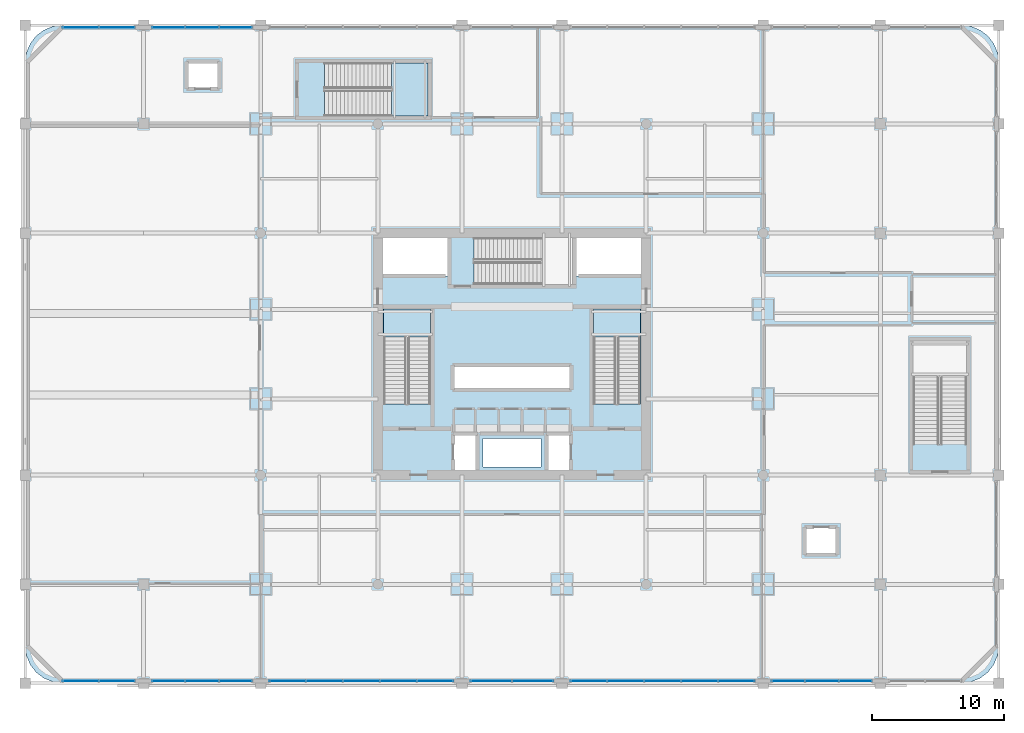
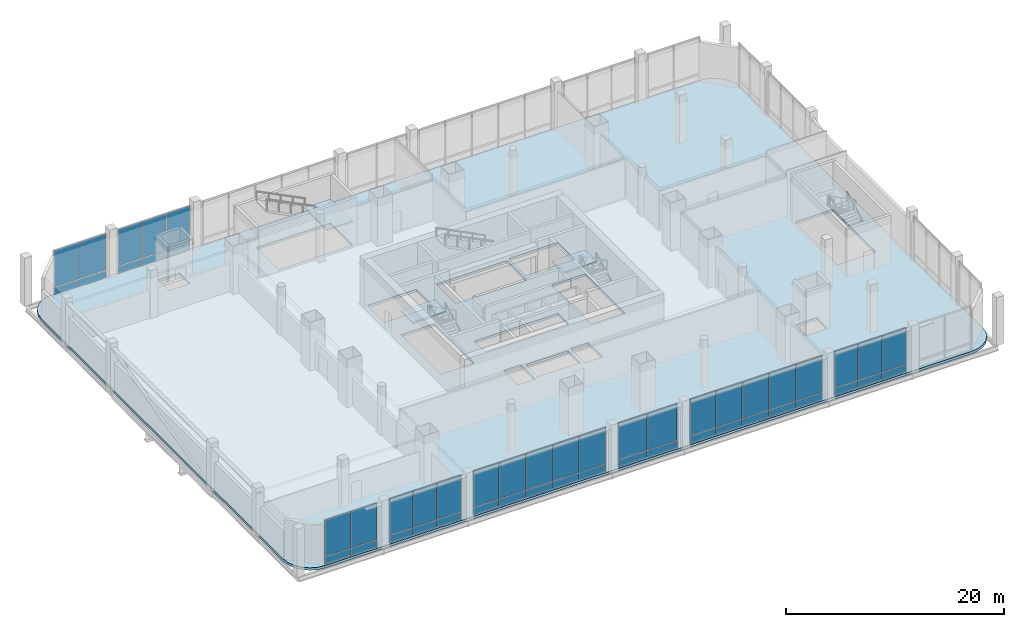
# One storey, part 19 of 35: 50 plates, 4 slabs, 11 elements without a shape of their own.
"""IFC4 building model written with IfcOpenShell, lengths in metres."""

from ifc_helpers import new_model, si_unit, direction, frame, origin, origin_2d, place, context, subcontext, project, spatial, polyline, rectangle, outline, extrude, material, layer, layer_set, type_object, element, aggregate, save


model = new_model("IFC4")

# Units and contexts
model_context = context("Model", 3, precision=1e-05, world=origin(), true_north=direction((0.0, 1.0)))
body_context = subcontext(model_context, "Body", "Model", "MODEL_VIEW")
ifc_project = project(units=[si_unit("LENGTHUNIT", "METRE"), si_unit("AREAUNIT", "SQUARE_METRE"), si_unit("VOLUMEUNIT", "CUBIC_METRE"), si_unit("PLANEANGLEUNIT", "RADIAN"), si_unit("MASSUNIT", "GRAM", prefix="KILO")], contexts=[model_context])

# Site, building, storey
site_placement = place(None, origin())
site = spatial("IfcSite", under=ifc_project, at=site_placement, CompositionType="ELEMENT")
building_placement = place(site_placement, origin())
building = spatial("IfcBuilding", under=site, at=building_placement, Name="Punatoya Terracotta Tower", CompositionType="ELEMENT")
storey_placement = place(building_placement, frame((0.0, 0.0, 16.800048828125)))
storey = spatial("IfcBuildingStorey", under=building, at=storey_placement, Name="L03", CompositionType="ELEMENT", Elevation=16.800048828125)

# Curtain wall, plates
ifc_material_1 = material(Name="Aluminium 6063-T6 + Double Low-E Glass", Category="aluminium")
curtain_wall_type = type_object("IfcCurtainWallType", Name="CW-POD", PredefinedType="NOTDEFINED", material=ifc_material_1)
curtain_wall_1_placement = place(storey_placement, origin())
curtain_wall_1 = element("IfcCurtainWall", 1, at=curtain_wall_1_placement, inside=storey, type_object=curtain_wall_type, Name="L03 Curtain Wall CWP-L03-S1", PredefinedType="NOTDEFINED")
ifc_material_2 = material(Name="Double Low-E Clear Vision Glass", Category="glass")
ifc_layer_1 = layer(ifc_material_2, 0.028076171875)
ifc_layer_set_1 = layer_set([ifc_layer_1], Name="Double Low-E Clear Vision Glass")
plate_type_1 = type_object("IfcPlateType", Name="PLT-GLZ-28", PredefinedType="CURTAIN_PANEL", material=ifc_layer_set_1)
plate_1_placement = place(storey_placement, frame((-32.804931640625, -24.840087890625, 0.89013671875), z_axis=(0.0, 0.0, 1.0), x_axis=(1.0, 0.0, 0.0)))
plate_1 = element("IfcPlate", 2, at=plate_1_placement, type_object=plate_type_1, Name="CWP-L03-S1 Vision Glass Panel 1", PredefinedType="CURTAIN_PANEL", context=body_context, shape_type="SweptSolid", body=[
    extrude(rectangle(XDim=2.705078125, YDim=0.028076171875, at=origin_2d()), origin(), (0.0, 0.0, 1.0), 4.090087890625),
])
plate_2_placement = place(storey_placement, frame((-30.014892578125, -24.840087890625, 0.89013671875), z_axis=(0.0, 0.0, 1.0), x_axis=(1.0, 0.0, 0.0)))
plate_2 = element("IfcPlate", 3, at=plate_2_placement, type_object=plate_type_1, Name="CWP-L03-S1 Vision Glass Panel 2", PredefinedType="CURTAIN_PANEL", context=body_context, shape_type="SweptSolid", body=[
    extrude(rectangle(XDim=2.705078125, YDim=0.028076171875, at=origin_2d()), origin(), (0.0, 0.0, 1.0), 4.090087890625),
])

curtain_wall_2_placement = place(storey_placement, origin())
curtain_wall_2 = element("IfcCurtainWall", 4, at=curtain_wall_2_placement, inside=storey, type_object=curtain_wall_type, Name="L03 Curtain Wall CWP-L03-N1", PredefinedType="NOTDEFINED")
plate_3_placement = place(storey_placement, frame((-30.014892578125, 24.840087890625, 0.89013671875), z_axis=(0.0, 0.0, 1.0), x_axis=(-1.0, 0.0, 0.0)))
plate_3 = element("IfcPlate", 5, at=plate_3_placement, type_object=plate_type_1, Name="CWP-L03-N1 Vision Glass Panel 1", PredefinedType="CURTAIN_PANEL", context=body_context, shape_type="SweptSolid", body=[
    extrude(rectangle(XDim=2.705078125, YDim=0.028076171875, at=origin_2d()), origin(), (0.0, 0.0, 1.0), 4.090087890625),
])
plate_4_placement = place(storey_placement, frame((-32.804931640625, 24.840087890625, 0.89013671875), z_axis=(0.0, 0.0, 1.0), x_axis=(-1.0, 0.0, 0.0)))
plate_4 = element("IfcPlate", 6, at=plate_4_placement, type_object=plate_type_1, Name="CWP-L03-N1 Vision Glass Panel 2", PredefinedType="CURTAIN_PANEL", context=body_context, shape_type="SweptSolid", body=[
    extrude(rectangle(XDim=2.705078125, YDim=0.028076171875, at=origin_2d()), origin(), (0.0, 0.0, 1.0), 4.090087890625),
])

curtain_wall_3_placement = place(storey_placement, origin())
curtain_wall_3 = element("IfcCurtainWall", 7, at=curtain_wall_3_placement, inside=storey, type_object=curtain_wall_type, Name="L03 Curtain Wall CWP-L03-S2", PredefinedType="NOTDEFINED")
plate_5_placement = place(storey_placement, frame((-26.103271484375, -24.840087890625, 0.89013671875), z_axis=(0.0, 0.0, 1.0), x_axis=(1.0, 0.0, 0.0)))
plate_5 = element("IfcPlate", 8, at=plate_5_placement, type_object=plate_type_1, Name="CWP-L03-S2 Vision Glass Panel 1", PredefinedType="CURTAIN_PANEL", context=body_context, shape_type="SweptSolid", body=[
    extrude(rectangle(XDim=2.46826171875, YDim=0.028076171875, at=origin_2d()), origin(), (0.0, 0.0, 1.0), 4.090087890625),
])
plate_6_placement = place(storey_placement, frame((-23.550048828125, -24.840087890625, 0.89013671875), z_axis=(0.0, 0.0, 1.0), x_axis=(1.0, 0.0, 0.0)))
plate_6 = element("IfcPlate", 9, at=plate_6_placement, type_object=plate_type_1, Name="CWP-L03-S2 Vision Glass Panel 2", PredefinedType="CURTAIN_PANEL", context=body_context, shape_type="SweptSolid", body=[
    extrude(rectangle(XDim=2.46826171875, YDim=0.028076171875, at=origin_2d()), origin(), (0.0, 0.0, 1.0), 4.090087890625),
])
plate_7_placement = place(storey_placement, frame((-20.99658203125, -24.840087890625, 0.89013671875), z_axis=(0.0, 0.0, 1.0), x_axis=(1.0, 0.0, 0.0)))
plate_7 = element("IfcPlate", 10, at=plate_7_placement, type_object=plate_type_1, Name="CWP-L03-S2 Vision Glass Panel 3", PredefinedType="CURTAIN_PANEL", context=body_context, shape_type="SweptSolid", body=[
    extrude(rectangle(XDim=2.46826171875, YDim=0.028076171875, at=origin_2d()), origin(), (0.0, 0.0, 1.0), 4.090087890625),
])

curtain_wall_4_placement = place(storey_placement, origin())
curtain_wall_4 = element("IfcCurtainWall", 11, at=curtain_wall_4_placement, inside=storey, type_object=curtain_wall_type, Name="L03 Curtain Wall CWP-L03-N2", PredefinedType="NOTDEFINED")
plate_8_placement = place(storey_placement, frame((-20.99658203125, 24.840087890625, 0.89013671875), z_axis=(0.0, 0.0, 1.0), x_axis=(-1.0, 0.0, 0.0)))
plate_8 = element("IfcPlate", 12, at=plate_8_placement, type_object=plate_type_1, Name="CWP-L03-N2 Vision Glass Panel 1", PredefinedType="CURTAIN_PANEL", context=body_context, shape_type="SweptSolid", body=[
    extrude(rectangle(XDim=2.46826171875, YDim=0.028076171875, at=origin_2d()), origin(), (0.0, 0.0, 1.0), 4.090087890625),
])
plate_9_placement = place(storey_placement, frame((-23.550048828125, 24.840087890625, 0.89013671875), z_axis=(0.0, 0.0, 1.0), x_axis=(-1.0, 0.0, 0.0)))
plate_9 = element("IfcPlate", 13, at=plate_9_placement, type_object=plate_type_1, Name="CWP-L03-N2 Vision Glass Panel 2", PredefinedType="CURTAIN_PANEL", context=body_context, shape_type="SweptSolid", body=[
    extrude(rectangle(XDim=2.46826171875, YDim=0.028076171875, at=origin_2d()), origin(), (0.0, 0.0, 1.0), 4.090087890625),
])
plate_10_placement = place(storey_placement, frame((-26.103271484375, 24.840087890625, 0.89013671875), z_axis=(0.0, 0.0, 1.0), x_axis=(-1.0, 0.0, 0.0)))
plate_10 = element("IfcPlate", 14, at=plate_10_placement, type_object=plate_type_1, Name="CWP-L03-N2 Vision Glass Panel 3", PredefinedType="CURTAIN_PANEL", context=body_context, shape_type="SweptSolid", body=[
    extrude(rectangle(XDim=2.46826171875, YDim=0.028076171875, at=origin_2d()), origin(), (0.0, 0.0, 1.0), 4.090087890625),
])

curtain_wall_5_placement = place(storey_placement, origin())
curtain_wall_5 = element("IfcCurtainWall", 15, at=curtain_wall_5_placement, inside=storey, type_object=curtain_wall_type, Name="L03 Curtain Wall CWP-L03-S3", PredefinedType="NOTDEFINED")
plate_11_placement = place(storey_placement, frame((-17.073974609375, -24.840087890625, 0.89013671875), z_axis=(0.0, 0.0, 1.0), x_axis=(1.0, 0.0, 0.0)))
plate_11 = element("IfcPlate", 16, at=plate_11_placement, type_object=plate_type_1, Name="CWP-L03-S3 Vision Glass Panel 1", PredefinedType="CURTAIN_PANEL", context=body_context, shape_type="SweptSolid", body=[
    extrude(rectangle(XDim=2.72705078125, YDim=0.028076171875, at=origin_2d()), origin(), (0.0, 0.0, 1.0), 4.090087890625),
])
plate_12_placement = place(storey_placement, frame((-14.261962890625, -24.840087890625, 0.89013671875), z_axis=(0.0, 0.0, 1.0), x_axis=(1.0, 0.0, 0.0)))
plate_12 = element("IfcPlate", 17, at=plate_12_placement, type_object=plate_type_1, Name="CWP-L03-S3 Vision Glass Panel 2", PredefinedType="CURTAIN_PANEL", context=body_context, shape_type="SweptSolid", body=[
    extrude(rectangle(XDim=2.72705078125, YDim=0.028076171875, at=origin_2d()), origin(), (0.0, 0.0, 1.0), 4.090087890625),
])
plate_13_placement = place(storey_placement, frame((-11.449951171875, -24.840087890625, 0.89013671875), z_axis=(0.0, 0.0, 1.0), x_axis=(1.0, 0.0, 0.0)))
plate_13 = element("IfcPlate", 18, at=plate_13_placement, type_object=plate_type_1, Name="CWP-L03-S3 Vision Glass Panel 3", PredefinedType="CURTAIN_PANEL", context=body_context, shape_type="SweptSolid", body=[
    extrude(rectangle(XDim=2.72705078125, YDim=0.028076171875, at=origin_2d()), origin(), (0.0, 0.0, 1.0), 4.090087890625),
])
plate_14_placement = place(storey_placement, frame((-8.637939453125, -24.840087890625, 0.89013671875), z_axis=(0.0, 0.0, 1.0), x_axis=(1.0, 0.0, 0.0)))
plate_14 = element("IfcPlate", 19, at=plate_14_placement, type_object=plate_type_1, Name="CWP-L03-S3 Vision Glass Panel 4", PredefinedType="CURTAIN_PANEL", context=body_context, shape_type="SweptSolid", body=[
    extrude(rectangle(XDim=2.72705078125, YDim=0.028076171875, at=origin_2d()), origin(), (0.0, 0.0, 1.0), 4.090087890625),
])
plate_15_placement = place(storey_placement, frame((-5.825927734375, -24.840087890625, 0.89013671875), z_axis=(0.0, 0.0, 1.0), x_axis=(1.0, 0.0, 0.0)))
plate_15 = element("IfcPlate", 20, at=plate_15_placement, type_object=plate_type_1, Name="CWP-L03-S3 Vision Glass Panel 5", PredefinedType="CURTAIN_PANEL", context=body_context, shape_type="SweptSolid", body=[
    extrude(rectangle(XDim=2.72705078125, YDim=0.028076171875, at=origin_2d()), origin(), (0.0, 0.0, 1.0), 4.090087890625),
])

curtain_wall_6_placement = place(storey_placement, origin())
curtain_wall_6 = element("IfcCurtainWall", 21, at=curtain_wall_6_placement, inside=storey, type_object=curtain_wall_type, Name="L03 Curtain Wall CWP-L03-S4", PredefinedType="NOTDEFINED")
plate_16_placement = place(storey_placement, frame((-1.590087890625, -24.840087890625, 0.89013671875), z_axis=(0.0, 0.0, 1.0), x_axis=(1.0, 0.0, 0.0)))
plate_16 = element("IfcPlate", 22, at=plate_16_placement, type_object=plate_type_1, Name="CWP-L03-S4 Vision Glass Panel 1", PredefinedType="CURTAIN_PANEL", context=body_context, shape_type="SweptSolid", body=[
    extrude(rectangle(XDim=3.094970703125, YDim=0.028076171875, at=origin_2d()), origin(), (0.0, 0.0, 1.0), 4.090087890625),
])
plate_17_placement = place(storey_placement, frame((1.590087890625, -24.840087890625, 0.89013671875), z_axis=(0.0, 0.0, 1.0), x_axis=(1.0, 0.0, 0.0)))
plate_17 = element("IfcPlate", 23, at=plate_17_placement, type_object=plate_type_1, Name="CWP-L03-S4 Vision Glass Panel 2", PredefinedType="CURTAIN_PANEL", context=body_context, shape_type="SweptSolid", body=[
    extrude(rectangle(XDim=3.094970703125, YDim=0.028076171875, at=origin_2d()), origin(), (0.0, 0.0, 1.0), 4.090087890625),
])

curtain_wall_7_placement = place(storey_placement, origin())
curtain_wall_7 = element("IfcCurtainWall", 24, at=curtain_wall_7_placement, inside=storey, type_object=curtain_wall_type, Name="L03 Curtain Wall CWP-L03-S5", PredefinedType="NOTDEFINED")
plate_18_placement = place(storey_placement, frame((5.825927734375, -24.840087890625, 0.89013671875), z_axis=(0.0, 0.0, 1.0), x_axis=(1.0, 0.0, 0.0)))
plate_18 = element("IfcPlate", 25, at=plate_18_placement, type_object=plate_type_1, Name="CWP-L03-S5 Vision Glass Panel 1", PredefinedType="CURTAIN_PANEL", context=body_context, shape_type="SweptSolid", body=[
    extrude(rectangle(XDim=2.72705078125, YDim=0.028076171875, at=origin_2d()), origin(), (0.0, 0.0, 1.0), 4.090087890625),
])
plate_19_placement = place(storey_placement, frame((8.637939453125, -24.840087890625, 0.89013671875), z_axis=(0.0, 0.0, 1.0), x_axis=(1.0, 0.0, 0.0)))
plate_19 = element("IfcPlate", 26, at=plate_19_placement, type_object=plate_type_1, Name="CWP-L03-S5 Vision Glass Panel 2", PredefinedType="CURTAIN_PANEL", context=body_context, shape_type="SweptSolid", body=[
    extrude(rectangle(XDim=2.72705078125, YDim=0.028076171875, at=origin_2d()), origin(), (0.0, 0.0, 1.0), 4.090087890625),
])
plate_20_placement = place(storey_placement, frame((11.449951171875, -24.840087890625, 0.89013671875), z_axis=(0.0, 0.0, 1.0), x_axis=(1.0, 0.0, 0.0)))
plate_20 = element("IfcPlate", 27, at=plate_20_placement, type_object=plate_type_1, Name="CWP-L03-S5 Vision Glass Panel 3", PredefinedType="CURTAIN_PANEL", context=body_context, shape_type="SweptSolid", body=[
    extrude(rectangle(XDim=2.72705078125, YDim=0.028076171875, at=origin_2d()), origin(), (0.0, 0.0, 1.0), 4.090087890625),
])
plate_21_placement = place(storey_placement, frame((14.261962890625, -24.840087890625, 0.89013671875), z_axis=(0.0, 0.0, 1.0), x_axis=(1.0, 0.0, 0.0)))
plate_21 = element("IfcPlate", 28, at=plate_21_placement, type_object=plate_type_1, Name="CWP-L03-S5 Vision Glass Panel 4", PredefinedType="CURTAIN_PANEL", context=body_context, shape_type="SweptSolid", body=[
    extrude(rectangle(XDim=2.72705078125, YDim=0.028076171875, at=origin_2d()), origin(), (0.0, 0.0, 1.0), 4.090087890625),
])
plate_22_placement = place(storey_placement, frame((17.073974609375, -24.840087890625, 0.89013671875), z_axis=(0.0, 0.0, 1.0), x_axis=(1.0, 0.0, 0.0)))
plate_22 = element("IfcPlate", 29, at=plate_22_placement, type_object=plate_type_1, Name="CWP-L03-S5 Vision Glass Panel 5", PredefinedType="CURTAIN_PANEL", context=body_context, shape_type="SweptSolid", body=[
    extrude(rectangle(XDim=2.72705078125, YDim=0.028076171875, at=origin_2d()), origin(), (0.0, 0.0, 1.0), 4.090087890625),
])

curtain_wall_8_placement = place(storey_placement, origin())
curtain_wall_8 = element("IfcCurtainWall", 30, at=curtain_wall_8_placement, inside=storey, type_object=curtain_wall_type, Name="L03 Curtain Wall CWP-L03-S6", PredefinedType="NOTDEFINED")
plate_23_placement = place(storey_placement, frame((20.99658203125, -24.840087890625, 0.89013671875), z_axis=(0.0, 0.0, 1.0), x_axis=(1.0, 0.0, 0.0)))
plate_23 = element("IfcPlate", 31, at=plate_23_placement, type_object=plate_type_1, Name="CWP-L03-S6 Vision Glass Panel 1", PredefinedType="CURTAIN_PANEL", context=body_context, shape_type="SweptSolid", body=[
    extrude(rectangle(XDim=2.46826171875, YDim=0.028076171875, at=origin_2d()), origin(), (0.0, 0.0, 1.0), 4.090087890625),
])
plate_24_placement = place(storey_placement, frame((23.550048828125, -24.840087890625, 0.89013671875), z_axis=(0.0, 0.0, 1.0), x_axis=(1.0, 0.0, 0.0)))
plate_24 = element("IfcPlate", 32, at=plate_24_placement, type_object=plate_type_1, Name="CWP-L03-S6 Vision Glass Panel 2", PredefinedType="CURTAIN_PANEL", context=body_context, shape_type="SweptSolid", body=[
    extrude(rectangle(XDim=2.46826171875, YDim=0.028076171875, at=origin_2d()), origin(), (0.0, 0.0, 1.0), 4.090087890625),
])
plate_25_placement = place(storey_placement, frame((26.103271484375, -24.840087890625, 0.89013671875), z_axis=(0.0, 0.0, 1.0), x_axis=(1.0, 0.0, 0.0)))
plate_25 = element("IfcPlate", 33, at=plate_25_placement, type_object=plate_type_1, Name="CWP-L03-S6 Vision Glass Panel 3", PredefinedType="CURTAIN_PANEL", context=body_context, shape_type="SweptSolid", body=[
    extrude(rectangle(XDim=2.46826171875, YDim=0.028076171875, at=origin_2d()), origin(), (0.0, 0.0, 1.0), 4.090087890625),
])

# Plate
ifc_material_3 = material(Name="Insulated Terracotta-Backed Spandrel Panel", Category="masonry")
ifc_layer_2 = layer(ifc_material_3, 0.044921875)
ifc_layer_set_2 = layer_set([ifc_layer_2], Name="Insulated Terracotta-Backed Spandrel Panel")
plate_type_2 = type_object("IfcPlateType", Name="PLT-SPN-45", PredefinedType="CURTAIN_PANEL", material=ifc_layer_set_2)
plate_26_placement = place(storey_placement, frame((-32.804931640625, -24.840087890625, 0.0400390625), z_axis=(0.0, 0.0, 1.0), x_axis=(1.0, 0.0, 0.0)))
plate_26 = element("IfcPlate", 34, at=plate_26_placement, type_object=plate_type_2, Name="CWP-L03-S1 Terracotta Spandrel Panel 1", PredefinedType="CURTAIN_PANEL", context=body_context, shape_type="SweptSolid", body=[
    extrude(rectangle(XDim=2.705078125, YDim=0.044921875, at=origin_2d()), origin(), (0.0, 0.0, 1.0), 0.77490234375),
])

plate_27_placement = place(storey_placement, frame((-30.014892578125, -24.840087890625, 0.0400390625), z_axis=(0.0, 0.0, 1.0), x_axis=(1.0, 0.0, 0.0)))
plate_27 = element("IfcPlate", 35, at=plate_27_placement, type_object=plate_type_2, Name="CWP-L03-S1 Terracotta Spandrel Panel 2", PredefinedType="CURTAIN_PANEL", context=body_context, shape_type="SweptSolid", body=[
    extrude(rectangle(XDim=2.705078125, YDim=0.044921875, at=origin_2d()), origin(), (0.0, 0.0, 1.0), 0.77490234375),
])

aggregate(curtain_wall_1, [plate_26, plate_1, plate_27, plate_2])

plate_28_placement = place(storey_placement, frame((-30.014892578125, 24.840087890625, 0.0400390625), z_axis=(0.0, 0.0, 1.0), x_axis=(-1.0, 0.0, 0.0)))
plate_28 = element("IfcPlate", 36, at=plate_28_placement, type_object=plate_type_2, Name="CWP-L03-N1 Terracotta Spandrel Panel 1", PredefinedType="CURTAIN_PANEL", context=body_context, shape_type="SweptSolid", body=[
    extrude(rectangle(XDim=2.705078125, YDim=0.044921875, at=origin_2d()), origin(), (0.0, 0.0, 1.0), 0.77490234375),
])

plate_29_placement = place(storey_placement, frame((-32.804931640625, 24.840087890625, 0.0400390625), z_axis=(0.0, 0.0, 1.0), x_axis=(-1.0, 0.0, 0.0)))
plate_29 = element("IfcPlate", 37, at=plate_29_placement, type_object=plate_type_2, Name="CWP-L03-N1 Terracotta Spandrel Panel 2", PredefinedType="CURTAIN_PANEL", context=body_context, shape_type="SweptSolid", body=[
    extrude(rectangle(XDim=2.705078125, YDim=0.044921875, at=origin_2d()), origin(), (0.0, 0.0, 1.0), 0.77490234375),
])

aggregate(curtain_wall_2, [plate_28, plate_3, plate_29, plate_4])

plate_30_placement = place(storey_placement, frame((-26.103271484375, -24.840087890625, 0.0400390625), z_axis=(0.0, 0.0, 1.0), x_axis=(1.0, 0.0, 0.0)))
plate_30 = element("IfcPlate", 38, at=plate_30_placement, type_object=plate_type_2, Name="CWP-L03-S2 Terracotta Spandrel Panel 1", PredefinedType="CURTAIN_PANEL", context=body_context, shape_type="SweptSolid", body=[
    extrude(rectangle(XDim=2.46826171875, YDim=0.044921875, at=origin_2d()), origin(), (0.0, 0.0, 1.0), 0.77490234375),
])

plate_31_placement = place(storey_placement, frame((-23.550048828125, -24.840087890625, 0.0400390625), z_axis=(0.0, 0.0, 1.0), x_axis=(1.0, 0.0, 0.0)))
plate_31 = element("IfcPlate", 39, at=plate_31_placement, type_object=plate_type_2, Name="CWP-L03-S2 Terracotta Spandrel Panel 2", PredefinedType="CURTAIN_PANEL", context=body_context, shape_type="SweptSolid", body=[
    extrude(rectangle(XDim=2.46826171875, YDim=0.044921875, at=origin_2d()), origin(), (0.0, 0.0, 1.0), 0.77490234375),
])

plate_32_placement = place(storey_placement, frame((-20.99658203125, -24.840087890625, 0.0400390625), z_axis=(0.0, 0.0, 1.0), x_axis=(1.0, 0.0, 0.0)))
plate_32 = element("IfcPlate", 40, at=plate_32_placement, type_object=plate_type_2, Name="CWP-L03-S2 Terracotta Spandrel Panel 3", PredefinedType="CURTAIN_PANEL", context=body_context, shape_type="SweptSolid", body=[
    extrude(rectangle(XDim=2.46826171875, YDim=0.044921875, at=origin_2d()), origin(), (0.0, 0.0, 1.0), 0.77490234375),
])

aggregate(curtain_wall_3, [plate_30, plate_5, plate_31, plate_6, plate_32, plate_7])

plate_33_placement = place(storey_placement, frame((-20.99658203125, 24.840087890625, 0.0400390625), z_axis=(0.0, 0.0, 1.0), x_axis=(-1.0, 0.0, 0.0)))
plate_33 = element("IfcPlate", 41, at=plate_33_placement, type_object=plate_type_2, Name="CWP-L03-N2 Terracotta Spandrel Panel 1", PredefinedType="CURTAIN_PANEL", context=body_context, shape_type="SweptSolid", body=[
    extrude(rectangle(XDim=2.46826171875, YDim=0.044921875, at=origin_2d()), origin(), (0.0, 0.0, 1.0), 0.77490234375),
])

plate_34_placement = place(storey_placement, frame((-23.550048828125, 24.840087890625, 0.0400390625), z_axis=(0.0, 0.0, 1.0), x_axis=(-1.0, 0.0, 0.0)))
plate_34 = element("IfcPlate", 42, at=plate_34_placement, type_object=plate_type_2, Name="CWP-L03-N2 Terracotta Spandrel Panel 2", PredefinedType="CURTAIN_PANEL", context=body_context, shape_type="SweptSolid", body=[
    extrude(rectangle(XDim=2.46826171875, YDim=0.044921875, at=origin_2d()), origin(), (0.0, 0.0, 1.0), 0.77490234375),
])

plate_35_placement = place(storey_placement, frame((-26.103271484375, 24.840087890625, 0.0400390625), z_axis=(0.0, 0.0, 1.0), x_axis=(-1.0, 0.0, 0.0)))
plate_35 = element("IfcPlate", 43, at=plate_35_placement, type_object=plate_type_2, Name="CWP-L03-N2 Terracotta Spandrel Panel 3", PredefinedType="CURTAIN_PANEL", context=body_context, shape_type="SweptSolid", body=[
    extrude(rectangle(XDim=2.46826171875, YDim=0.044921875, at=origin_2d()), origin(), (0.0, 0.0, 1.0), 0.77490234375),
])

aggregate(curtain_wall_4, [plate_33, plate_8, plate_34, plate_9, plate_35, plate_10])

plate_36_placement = place(storey_placement, frame((-17.073974609375, -24.840087890625, 0.0400390625), z_axis=(0.0, 0.0, 1.0), x_axis=(1.0, 0.0, 0.0)))
plate_36 = element("IfcPlate", 44, at=plate_36_placement, type_object=plate_type_2, Name="CWP-L03-S3 Terracotta Spandrel Panel 1", PredefinedType="CURTAIN_PANEL", context=body_context, shape_type="SweptSolid", body=[
    extrude(rectangle(XDim=2.72705078125, YDim=0.044921875, at=origin_2d()), origin(), (0.0, 0.0, 1.0), 0.77490234375),
])

plate_37_placement = place(storey_placement, frame((-14.261962890625, -24.840087890625, 0.0400390625), z_axis=(0.0, 0.0, 1.0), x_axis=(1.0, 0.0, 0.0)))
plate_37 = element("IfcPlate", 45, at=plate_37_placement, type_object=plate_type_2, Name="CWP-L03-S3 Terracotta Spandrel Panel 2", PredefinedType="CURTAIN_PANEL", context=body_context, shape_type="SweptSolid", body=[
    extrude(rectangle(XDim=2.72705078125, YDim=0.044921875, at=origin_2d()), origin(), (0.0, 0.0, 1.0), 0.77490234375),
])

plate_38_placement = place(storey_placement, frame((-11.449951171875, -24.840087890625, 0.0400390625), z_axis=(0.0, 0.0, 1.0), x_axis=(1.0, 0.0, 0.0)))
plate_38 = element("IfcPlate", 46, at=plate_38_placement, type_object=plate_type_2, Name="CWP-L03-S3 Terracotta Spandrel Panel 3", PredefinedType="CURTAIN_PANEL", context=body_context, shape_type="SweptSolid", body=[
    extrude(rectangle(XDim=2.72705078125, YDim=0.044921875, at=origin_2d()), origin(), (0.0, 0.0, 1.0), 0.77490234375),
])

plate_39_placement = place(storey_placement, frame((-8.637939453125, -24.840087890625, 0.0400390625), z_axis=(0.0, 0.0, 1.0), x_axis=(1.0, 0.0, 0.0)))
plate_39 = element("IfcPlate", 47, at=plate_39_placement, type_object=plate_type_2, Name="CWP-L03-S3 Terracotta Spandrel Panel 4", PredefinedType="CURTAIN_PANEL", context=body_context, shape_type="SweptSolid", body=[
    extrude(rectangle(XDim=2.72705078125, YDim=0.044921875, at=origin_2d()), origin(), (0.0, 0.0, 1.0), 0.77490234375),
])

plate_40_placement = place(storey_placement, frame((-5.825927734375, -24.840087890625, 0.0400390625), z_axis=(0.0, 0.0, 1.0), x_axis=(1.0, 0.0, 0.0)))
plate_40 = element("IfcPlate", 48, at=plate_40_placement, type_object=plate_type_2, Name="CWP-L03-S3 Terracotta Spandrel Panel 5", PredefinedType="CURTAIN_PANEL", context=body_context, shape_type="SweptSolid", body=[
    extrude(rectangle(XDim=2.72705078125, YDim=0.044921875, at=origin_2d()), origin(), (0.0, 0.0, 1.0), 0.77490234375),
])

aggregate(curtain_wall_5, [plate_36, plate_11, plate_37, plate_12, plate_38, plate_13, plate_39, plate_14, plate_40, plate_15])

plate_41_placement = place(storey_placement, frame((-1.590087890625, -24.840087890625, 0.0400390625), z_axis=(0.0, 0.0, 1.0), x_axis=(1.0, 0.0, 0.0)))
plate_41 = element("IfcPlate", 49, at=plate_41_placement, type_object=plate_type_2, Name="CWP-L03-S4 Terracotta Spandrel Panel 1", PredefinedType="CURTAIN_PANEL", context=body_context, shape_type="SweptSolid", body=[
    extrude(rectangle(XDim=3.094970703125, YDim=0.044921875, at=origin_2d()), origin(), (0.0, 0.0, 1.0), 0.77490234375),
])

plate_42_placement = place(storey_placement, frame((1.590087890625, -24.840087890625, 0.0400390625), z_axis=(0.0, 0.0, 1.0), x_axis=(1.0, 0.0, 0.0)))
plate_42 = element("IfcPlate", 50, at=plate_42_placement, type_object=plate_type_2, Name="CWP-L03-S4 Terracotta Spandrel Panel 2", PredefinedType="CURTAIN_PANEL", context=body_context, shape_type="SweptSolid", body=[
    extrude(rectangle(XDim=3.094970703125, YDim=0.044921875, at=origin_2d()), origin(), (0.0, 0.0, 1.0), 0.77490234375),
])

aggregate(curtain_wall_6, [plate_41, plate_16, plate_42, plate_17])

plate_43_placement = place(storey_placement, frame((5.825927734375, -24.840087890625, 0.0400390625), z_axis=(0.0, 0.0, 1.0), x_axis=(1.0, 0.0, 0.0)))
plate_43 = element("IfcPlate", 51, at=plate_43_placement, type_object=plate_type_2, Name="CWP-L03-S5 Terracotta Spandrel Panel 1", PredefinedType="CURTAIN_PANEL", context=body_context, shape_type="SweptSolid", body=[
    extrude(rectangle(XDim=2.72705078125, YDim=0.044921875, at=origin_2d()), origin(), (0.0, 0.0, 1.0), 0.77490234375),
])

plate_44_placement = place(storey_placement, frame((8.637939453125, -24.840087890625, 0.0400390625), z_axis=(0.0, 0.0, 1.0), x_axis=(1.0, 0.0, 0.0)))
plate_44 = element("IfcPlate", 52, at=plate_44_placement, type_object=plate_type_2, Name="CWP-L03-S5 Terracotta Spandrel Panel 2", PredefinedType="CURTAIN_PANEL", context=body_context, shape_type="SweptSolid", body=[
    extrude(rectangle(XDim=2.72705078125, YDim=0.044921875, at=origin_2d()), origin(), (0.0, 0.0, 1.0), 0.77490234375),
])

plate_45_placement = place(storey_placement, frame((11.449951171875, -24.840087890625, 0.0400390625), z_axis=(0.0, 0.0, 1.0), x_axis=(1.0, 0.0, 0.0)))
plate_45 = element("IfcPlate", 53, at=plate_45_placement, type_object=plate_type_2, Name="CWP-L03-S5 Terracotta Spandrel Panel 3", PredefinedType="CURTAIN_PANEL", context=body_context, shape_type="SweptSolid", body=[
    extrude(rectangle(XDim=2.72705078125, YDim=0.044921875, at=origin_2d()), origin(), (0.0, 0.0, 1.0), 0.77490234375),
])

plate_46_placement = place(storey_placement, frame((14.261962890625, -24.840087890625, 0.0400390625), z_axis=(0.0, 0.0, 1.0), x_axis=(1.0, 0.0, 0.0)))
plate_46 = element("IfcPlate", 54, at=plate_46_placement, type_object=plate_type_2, Name="CWP-L03-S5 Terracotta Spandrel Panel 4", PredefinedType="CURTAIN_PANEL", context=body_context, shape_type="SweptSolid", body=[
    extrude(rectangle(XDim=2.72705078125, YDim=0.044921875, at=origin_2d()), origin(), (0.0, 0.0, 1.0), 0.77490234375),
])

plate_47_placement = place(storey_placement, frame((17.073974609375, -24.840087890625, 0.0400390625), z_axis=(0.0, 0.0, 1.0), x_axis=(1.0, 0.0, 0.0)))
plate_47 = element("IfcPlate", 55, at=plate_47_placement, type_object=plate_type_2, Name="CWP-L03-S5 Terracotta Spandrel Panel 5", PredefinedType="CURTAIN_PANEL", context=body_context, shape_type="SweptSolid", body=[
    extrude(rectangle(XDim=2.72705078125, YDim=0.044921875, at=origin_2d()), origin(), (0.0, 0.0, 1.0), 0.77490234375),
])

aggregate(curtain_wall_7, [plate_43, plate_18, plate_44, plate_19, plate_45, plate_20, plate_46, plate_21, plate_47, plate_22])

plate_48_placement = place(storey_placement, frame((20.99658203125, -24.840087890625, 0.0400390625), z_axis=(0.0, 0.0, 1.0), x_axis=(1.0, 0.0, 0.0)))
plate_48 = element("IfcPlate", 56, at=plate_48_placement, type_object=plate_type_2, Name="CWP-L03-S6 Terracotta Spandrel Panel 1", PredefinedType="CURTAIN_PANEL", context=body_context, shape_type="SweptSolid", body=[
    extrude(rectangle(XDim=2.46826171875, YDim=0.044921875, at=origin_2d()), origin(), (0.0, 0.0, 1.0), 0.77490234375),
])

plate_49_placement = place(storey_placement, frame((23.550048828125, -24.840087890625, 0.0400390625), z_axis=(0.0, 0.0, 1.0), x_axis=(1.0, 0.0, 0.0)))
plate_49 = element("IfcPlate", 57, at=plate_49_placement, type_object=plate_type_2, Name="CWP-L03-S6 Terracotta Spandrel Panel 2", PredefinedType="CURTAIN_PANEL", context=body_context, shape_type="SweptSolid", body=[
    extrude(rectangle(XDim=2.46826171875, YDim=0.044921875, at=origin_2d()), origin(), (0.0, 0.0, 1.0), 0.77490234375),
])

plate_50_placement = place(storey_placement, frame((26.103271484375, -24.840087890625, 0.0400390625), z_axis=(0.0, 0.0, 1.0), x_axis=(1.0, 0.0, 0.0)))
plate_50 = element("IfcPlate", 58, at=plate_50_placement, type_object=plate_type_2, Name="CWP-L03-S6 Terracotta Spandrel Panel 3", PredefinedType="CURTAIN_PANEL", context=body_context, shape_type="SweptSolid", body=[
    extrude(rectangle(XDim=2.46826171875, YDim=0.044921875, at=origin_2d()), origin(), (0.0, 0.0, 1.0), 0.77490234375),
])

aggregate(curtain_wall_8, [plate_48, plate_23, plate_49, plate_24, plate_50, plate_25])

# Stair, slab
ifc_material_4 = material(Name="Concrete C40/50", Category="concrete")
stair_type_1 = type_object("IfcStairType", Name="STR-CORE-1550", PredefinedType="HALF_TURN_STAIR", material=ifc_material_4)
stair_1_placement = place(storey_placement, origin())
stair_1 = element("IfcStair", 59, at=stair_1_placement, inside=storey, type_object=stair_type_1, Name="L03 Protected Core Exit Stair ST-1", PredefinedType="HALF_TURN_STAIR")
ifc_layer_3 = layer(ifc_material_4, 0.179931640625)
ifc_layer_set_3 = layer_set([ifc_layer_3], Name="Concrete C40/50")
slab_type_1 = type_object("IfcSlabType", Name="SLB-LND-180", PredefinedType="LANDING", material=ifc_layer_set_3)
slab_1_placement = place(storey_placement, frame((0.0, 0.0, 2.5)))
slab_1 = element("IfcSlab", 60, at=slab_1_placement, type_object=slab_type_1, Name="ST-1 landing 1", PredefinedType="LANDING", context=body_context, shape_type="SweptSolid", body=[
    extrude(outline(polyline([(-6.199951171875, 1.300048828125), (-6.199951171875, 3.449951171875), (-9.75, 3.449951171875), (-9.75, 1.300048828125), (-6.199951171875, 1.300048828125)])), origin(), (0.0, 0.0, 1.0), 0.199951171875),
])
aggregate(stair_1, [slab_1])

stair_type_2 = type_object("IfcStairType", Name="STR-LOB-1650", PredefinedType="HALF_TURN_STAIR", material=ifc_material_4)
stair_2_placement = place(storey_placement, origin())
stair_2 = element("IfcStair", 61, at=stair_2_placement, inside=storey, type_object=stair_type_2, Name="L03 Protected Core Exit Stair ST-2", PredefinedType="HALF_TURN_STAIR")
slab_2_placement = place(storey_placement, frame((0.0, 0.0, 2.5)))
slab_2 = element("IfcSlab", 62, at=slab_2_placement, type_object=slab_type_1, Name="ST-2 landing 1", PredefinedType="LANDING", context=body_context, shape_type="SweptSolid", body=[
    extrude(outline(polyline([(9.75, 1.300048828125), (9.75, 3.449951171875), (6.199951171875, 3.449951171875), (6.199951171875, 1.300048828125), (9.75, 1.300048828125)])), origin(), (0.0, 0.0, 1.0), 0.199951171875),
])
aggregate(stair_2, [slab_2])

stair_type_3 = type_object("IfcStairType", Name="STR-POD-1800", PredefinedType="HALF_TURN_STAIR", material=ifc_material_4)
stair_3_placement = place(storey_placement, origin())
stair_3 = element("IfcStair", 63, at=stair_3_placement, inside=storey, type_object=stair_type_3, Name="L03 Podium North-West Exit Stair ST-P1", PredefinedType="HALF_TURN_STAIR")
slab_3_placement = place(storey_placement, frame((0.0, 0.0, 2.5)))
slab_3 = element("IfcSlab", 64, at=slab_3_placement, type_object=slab_type_1, Name="ST-P1 landing 1", PredefinedType="LANDING", context=body_context, shape_type="SweptSolid", body=[
    extrude(outline(polyline([(-9.14990234375, 18.10009765625), (-6.39990234375, 18.10009765625), (-6.39990234375, 22.14990234375), (-9.14990234375, 22.14990234375), (-9.14990234375, 18.10009765625)])), origin(), (0.0, 0.0, 1.0), 0.199951171875),
])
aggregate(stair_3, [slab_3])

# Slab
ifc_layer_4 = layer(ifc_material_4, 0.280029296875)
ifc_layer_set_4 = layer_set([ifc_layer_4], Name="Concrete C40/50")
slab_type_2 = type_object("IfcSlabType", Name="SLB-POD-280", PredefinedType="FLOOR", material=ifc_layer_set_4)
slab_4_placement = place(storey_placement, frame((0.0, 0.0, -0.280029296875)))
element("IfcSlab", 65, at=slab_4_placement, inside=storey, type_object=slab_type_2, Name="L03 Structural Floor Slab", PredefinedType="FLOOR", context=body_context, shape_type="SweptSolid", body=[
    extrude(outline(polyline([(-34.199951171875, -25.0), (-34.9248046875, -24.904541015625), (-35.60009765625, -24.625), (-36.179931640625, -24.179931640625), (-36.625, -23.60009765625), (-36.904541015625, -22.9248046875), (-37.0, -22.199951171875), (-37.0, 22.199951171875), (-36.904541015625, 22.9248046875), (-36.625, 23.60009765625), (-36.179931640625, 24.179931640625), (-35.60009765625, 24.625), (-34.9248046875, 24.904541015625), (-34.199951171875, 25.0), (34.199951171875, 25.0), (34.9248046875, 24.904541015625), (35.60009765625, 24.625), (36.179931640625, 24.179931640625), (36.625, 23.60009765625), (36.904541015625, 22.9248046875), (37.0, 22.199951171875), (37.0, -22.199951171875), (36.904541015625, -22.9248046875), (36.625, -23.60009765625), (36.179931640625, -24.179931640625), (35.60009765625, -24.625), (34.9248046875, -24.904541015625), (34.199951171875, -25.0), (-34.199951171875, -25.0)]), holes=[polyline([(-2.6298828125, -8.820068359375), (-2.6298828125, -6.179931640625), (-4.469970703125, -6.179931640625), (-4.469970703125, -8.820068359375), (-2.6298828125, -8.820068359375)]), polyline([(0.02001953125, -8.594970703125), (2.219970703125, -8.594970703125), (2.219970703125, -6.405029296875), (0.02001953125, -6.405029296875), (-0.02001953125, -6.405029296875), (-2.219970703125, -6.405029296875), (-2.219970703125, -8.594970703125), (-0.02001953125, -8.594970703125), (0.02001953125, -8.594970703125)]), polyline([(-2.219970703125, -0.780029296875), (-4.419921875, -0.780029296875), (-4.419921875, -2.719970703125), (-2.219970703125, -2.719970703125), (-2.179931640625, -2.719970703125), (-0.02001953125, -2.719970703125), (0.02001953125, -2.719970703125), (2.179931640625, -2.719970703125), (2.219970703125, -2.719970703125), (4.419921875, -2.719970703125), (4.419921875, -0.780029296875), (2.219970703125, -0.780029296875), (2.179931640625, -0.780029296875), (0.02001953125, -0.780029296875), (-0.02001953125, -0.780029296875), (-2.179931640625, -0.780029296875), (-2.219970703125, -0.780029296875)]), polyline([(-6.199951171875, 3.449951171875), (-9.75, 3.449951171875), (-9.75, -3.79931640625), (-6.199951171875, -3.79931640625), (-6.199951171875, 3.449951171875)]), polyline([(4.60009765625, 5.300048828125), (4.60009765625, 8.85009765625), (-2.899169921875, 8.85009765625), (-2.899169921875, 5.300048828125), (4.60009765625, 5.300048828125)]), polyline([(-4.89990234375, 5.949951171875), (-4.89990234375, 9.050048828125), (-10.050048828125, 9.050048828125), (-10.050048828125, 5.949951171875), (-4.89990234375, 5.949951171875)]), polyline([(-6.39990234375, 18.10009765625), (-6.39990234375, 22.14990234375), (-14.249267578125, 22.14990234375), (-14.249267578125, 18.10009765625), (-6.39990234375, 18.10009765625)]), polyline([(-22.3798828125, 20.22998046875), (-22.3798828125, 22.169921875), (-24.6201171875, 22.169921875), (-24.6201171875, 20.22998046875), (-22.3798828125, 20.22998046875)]), polyline([(24.6201171875, -15.169921875), (24.6201171875, -13.22998046875), (22.3798828125, -13.22998046875), (22.3798828125, -15.169921875), (24.6201171875, -15.169921875)]), polyline([(4.469970703125, -8.820068359375), (4.469970703125, -6.179931640625), (2.6298828125, -6.179931640625), (2.6298828125, -8.820068359375), (4.469970703125, -8.820068359375)]), polyline([(34.550048828125, 1.0), (30.5, 1.0), (30.5, -6.84912109375), (34.550048828125, -6.84912109375), (34.550048828125, 1.0)]), polyline([(9.75, -3.79931640625), (9.75, 3.449951171875), (6.199951171875, 3.449951171875), (6.199951171875, -3.79931640625), (9.75, -3.79931640625)]), polyline([(4.89990234375, 5.949951171875), (10.050048828125, 5.949951171875), (10.050048828125, 9.050048828125), (4.89990234375, 9.050048828125), (4.89990234375, 5.949951171875)])]), origin(), (0.0, 0.0, 1.0), 0.280029296875),
])

save(model, "model.ifc")
